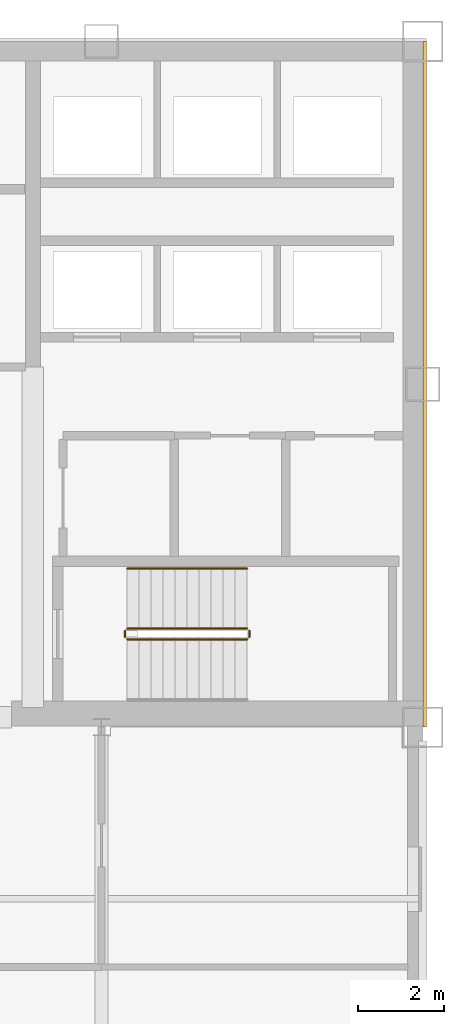
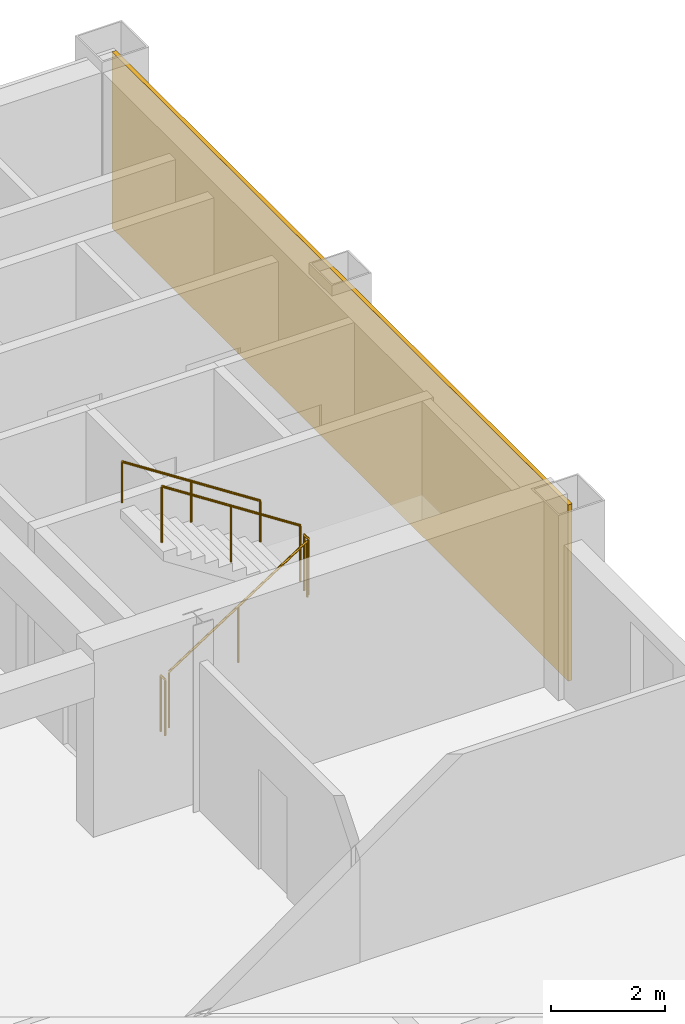
# One storey, part 8 of 10: 5 railings, 1 covering.
"""IFC4 building model written with IfcOpenShell, lengths in metres."""

import ifcopenshell
import ifcopenshell.guid

model = None  # the IFC model being written
_history = None  # IfcOwnerHistory: only IFC2X3 demands one
_inside = {}  # id of a spatial element -> (the spatial element, [elements in it])
_under = {}  # id of a project, library or spatial element -> (it, [spatial elements below it])
_declared = {}  # id of a project -> (the project, [libraries it declares])
_typed = {}  # id of a type object -> (the type object, [elements of that type])
_made_of = {}  # id of a material, layer set ... -> (it, [elements and type objects made of it])


def new_model(schema):
    """Start an empty IFC model of exactly this schema.

    Asked for "IFC4X3", IfcOpenShell would pick the latest addendum, in which some entities
    have other attributes; the version numbers below select the first issue.
    IFC2X3 requires an IfcOwnerHistory on every rooted entity: one is made here for all.
    """
    global model, _history
    if schema == "IFC4X3":
        model = ifcopenshell.file(schema_version=(4, 3, 0, 0))
    else:
        model = ifcopenshell.file(schema=schema)
    _inside.clear()
    _under.clear()
    _declared.clear()
    _typed.clear()
    _made_of.clear()
    _history = None
    if model.schema == "IFC2X3":
        org = make("IfcOrganization", Name="unknown")
        user = make(
            "IfcPersonAndOrganization",
            ThePerson=make("IfcPerson", FamilyName="unknown"),
            TheOrganization=org,
        )
        app = make(
            "IfcApplication",
            ApplicationDeveloper=org,
            Version="unknown",
            ApplicationFullName="unknown",
            ApplicationIdentifier="unknown",
        )
        _history = make(
            "IfcOwnerHistory",
            OwningUser=user,
            OwningApplication=app,
            ChangeAction="ADDED",
            CreationDate=0,
        )
    return model


def make(cls, **values):
    """One entity of the class cls with the attributes given. An attribute that is None is left unset."""
    return model.create_entity(
        cls, **{name: value for name, value in values.items() if value is not None}
    )


def rooted(cls, **values):
    """An entity with a GlobalId (a new one), such as an element, a storey or a relation."""
    return make(cls, GlobalId=ifcopenshell.guid.new(), OwnerHistory=_history, **values)


def si_unit(unit_type, name, prefix=None):
    """IfcSIUnit, for example si_unit("LENGTHUNIT", "METRE", prefix="MILLI")."""
    return make("IfcSIUnit", UnitType=unit_type, Prefix=prefix, Name=name)


def assignment(units):
    """IfcUnitAssignment: the units of a project."""
    return None if units is None else make("IfcUnitAssignment", Units=units)


def point(xyz):
    """IfcCartesianPoint."""
    return None if xyz is None else make("IfcCartesianPoint", Coordinates=xyz)


def direction(xyz):
    """IfcDirection."""
    return None if xyz is None else make("IfcDirection", DirectionRatios=xyz)


def frame(location, z_axis=None, x_axis=None):
    """IfcAxis2Placement3D, a coordinate frame: its origin and axes. An axis left out is left unset."""
    return make(
        "IfcAxis2Placement3D",
        Location=point(location),
        Axis=direction(z_axis),
        RefDirection=direction(x_axis),
    )


def frame_2d(location, x_axis=None):
    """IfcAxis2Placement2D, a coordinate frame in the plane: its origin and x axis."""
    return make(
        "IfcAxis2Placement2D", Location=point(location), RefDirection=direction(x_axis)
    )


def origin():
    """The frame at (0, 0, 0) with its axes left unset."""
    return frame((0.0, 0.0, 0.0))


def origin_2d():
    """The frame at (0, 0) in the plane with its x axis left unset."""
    return frame_2d((0.0, 0.0))


def place(relative_to, where):
    """IfcLocalPlacement: puts the frame where relative to a parent placement (None: the world)."""
    return make(
        "IfcLocalPlacement", PlacementRelTo=relative_to, RelativePlacement=where
    )


def context(
    kind, dimensions, precision=None, world=None, true_north=None, identifier=None
):
    """IfcGeometricRepresentationContext, for example the 3D "Model" context."""
    return make(
        "IfcGeometricRepresentationContext",
        ContextIdentifier=identifier,
        ContextType=kind,
        CoordinateSpaceDimension=dimensions,
        Precision=precision,
        WorldCoordinateSystem=world,
        TrueNorth=true_north,
    )


def subcontext(parent, identifier, kind, view, scale=None):
    """IfcGeometricRepresentationSubContext, for example "Body" below "Model"."""
    return make(
        "IfcGeometricRepresentationSubContext",
        ContextIdentifier=identifier,
        ContextType=kind,
        ParentContext=parent,
        TargetScale=scale,
        TargetView=view,
    )


def project(units=None, contexts=None):
    """IfcProject with its units and contexts."""
    return rooted(
        "IfcProject",
        Name="project",
        RepresentationContexts=contexts,
        UnitsInContext=assignment(units),
    )


def spatial(cls, under=None, at=None, **own):
    """A site, building, storey or space (cls), placed at a placement, below another one or the project."""
    s = rooted(cls, ObjectPlacement=at, **own)
    if under is not None:
        _under.setdefault(under.id(), (under, []))[1].append(s)
    return s


def profile(cls, at=None, kind="AREA", **sizes):
    """A parametric profile (cls). Its sizes go by their IFC names, for example OverallWidth=200.0."""
    return make(cls, ProfileType=kind, Position=at, **sizes)


def rectangle(**sizes):
    """IfcRectangleProfileDef."""
    return profile("IfcRectangleProfileDef", **sizes)


def circle(**sizes):
    """IfcCircleProfileDef."""
    return profile("IfcCircleProfileDef", **sizes)


def extrude(swept, where, along, depth):
    """IfcExtrudedAreaSolid: the profile swept, set in the frame where, extruded along a direction by depth."""
    return make(
        "IfcExtrudedAreaSolid",
        SweptArea=swept,
        Position=where,
        ExtrudedDirection=direction(along),
        Depth=depth,
    )


def shape(context_of_items, identifier, shape_type, items):
    """IfcShapeRepresentation: the items that make up one representation, for example the "Body"."""
    return make(
        "IfcShapeRepresentation",
        ContextOfItems=context_of_items,
        RepresentationIdentifier=identifier,
        RepresentationType=shape_type,
        Items=items,
    )


def material(Name=None, Category=None):
    """IfcMaterial."""
    return make("IfcMaterial", Name=Name, Category=Category)


def layer(
    of_material, thickness, ventilated=None, Name=None, Category=None, Priority=None
):
    """IfcMaterialLayer: one layer of a wall or slab, of a material (None: an air gap)."""
    return make(
        "IfcMaterialLayer",
        Material=of_material,
        LayerThickness=thickness,
        IsVentilated=ventilated,
        Name=Name,
        Category=Category,
        Priority=Priority,
    )


def layer_set(layers, Name=None):
    """IfcMaterialLayerSet."""
    return make("IfcMaterialLayerSet", MaterialLayers=layers, LayerSetName=Name)


def made_of(thing, what):
    """Note that an element or type object is made of a material, layer set ...; save() writes the relation."""
    if what is not None:
        _made_of.setdefault(what.id(), (what, []))[1].append(thing)
    return thing


def type_object(cls, material=None, **own):
    """A type object (cls), such as IfcWallType, which elements share."""
    return made_of(rooted(cls, **own), material)


def element(
    cls,
    number,
    at=None,
    inside=None,
    cuts=None,
    type_object=None,
    material=None,
    context=None,
    identifier="Body",
    shape_type=None,
    held_by="IfcProductDefinitionShape",
    body=None,
    shapes=None,
    **own,
):
    """One element of the class cls, such as IfcWall. Its Tag is "e" and its number.

    at: its placement. inside: the storey or other place that contains it. cuts: it is an
    opening in that element (IfcRelVoidsElement). A single representation is given by context,
    identifier, shape_type and body (its items); several are given by shapes. held_by: the class
    of the entity that holds the representations. save() writes the other relations.
    """
    e = rooted(cls, Tag="e%d" % number, ObjectPlacement=at, **own)
    if body is not None:
        shapes = [shape(context, identifier, shape_type, body)]
    if shapes is not None:
        e.Representation = make(held_by, Representations=shapes)
    if inside is not None:
        _inside.setdefault(inside.id(), (inside, []))[1].append(e)
    if cuts is not None:
        rooted(
            "IfcRelVoidsElement", RelatingBuildingElement=cuts, RelatedOpeningElement=e
        )
    if type_object is not None:
        _typed.setdefault(type_object.id(), (type_object, []))[1].append(e)
    return made_of(e, material)


def aggregate(whole, parts):
    """IfcRelAggregates: a whole, such as a stair, and the parts it consists of."""
    return rooted("IfcRelAggregates", RelatingObject=whole, RelatedObjects=parts)


def save(model, path):
    """Write the relations noted so far, then the file.

    IfcRelAggregates (storeys below a building ...), IfcRelContainedInSpatialStructure (elements
    in a storey), IfcRelDefinesByType, IfcRelAssociatesMaterial and IfcRelDeclares: one each for
    every whole, place, type object, material and project.
    """
    for whole, parts in _under.values():
        aggregate(whole, parts)
    for where, things in _inside.values():
        rooted(
            "IfcRelContainedInSpatialStructure",
            RelatedElements=things,
            RelatingStructure=where,
        )
    for kind, things in _typed.values():
        rooted("IfcRelDefinesByType", RelatedObjects=things, RelatingType=kind)
    for what, things in _made_of.values():
        rooted("IfcRelAssociatesMaterial", RelatedObjects=things, RelatingMaterial=what)
    for by, libraries in _declared.values():
        rooted("IfcRelDeclares", RelatingContext=by, RelatedDefinitions=libraries)
    model.write(path)


model = new_model("IFC4")

# Units and contexts
model_context = context("Model", 3, precision=1e-05, world=origin(), true_north=direction((0.0, 1.0)))
body_context = subcontext(model_context, "Body", "Model", "MODEL_VIEW")
ifc_project = project(units=[si_unit("LENGTHUNIT", "METRE"), si_unit("AREAUNIT", "SQUARE_METRE"), si_unit("VOLUMEUNIT", "CUBIC_METRE"), si_unit("PLANEANGLEUNIT", "RADIAN"), si_unit("MASSUNIT", "GRAM", prefix="KILO")], contexts=[model_context])

# Site, building, storey
site_placement = place(None, origin())
site = spatial("IfcSite", under=ifc_project, at=site_placement, CompositionType="ELEMENT")
building_placement = place(site_placement, origin())
building = spatial("IfcBuilding", under=site, at=building_placement, Name="Qianrong Seaharbour Tower", CompositionType="ELEMENT")
storey_placement = place(building_placement, frame((0.0, 0.0, 257.800048828125)))
storey = spatial("IfcBuildingStorey", under=building, at=storey_placement, Name="L62", CompositionType="ELEMENT", Elevation=257.800048828125)

# Covering
ifc_material_1 = material(Name="Unitised red brick cladding on Precast concrete C45/55", Category="masonry")
ifc_layer = layer(ifc_material_1, 0.080078125)
ifc_layer_set = layer_set([ifc_layer], Name="Unitised red brick cladding on Precast concrete C45/55")
covering_type = type_object("IfcCoveringType", Name="COV-CLAD-RED-BRICK-80", PredefinedType="CLADDING", material=ifc_layer_set)
covering_placement = place(storey_placement, frame((64.0400390625, 44.0, 0.0), z_axis=(0.0, 0.0, 1.0), x_axis=(1.0, 0.0, 0.0)))
element("IfcCovering", 1, at=covering_placement, inside=storey, type_object=covering_type, Name="L62 East Core Brick Veneer Cladding", PredefinedType="CLADDING", context=body_context, shape_type="SweptSolid", body=[
    extrude(rectangle(XDim=0.080078125, YDim=16.0, at=origin_2d()), origin(), (0.0, 0.0, 1.0), 3.77490234375),
])

# Railings
ifc_material_2 = material(Name="Galvanized painted steel SN400B stair guard", Category="steel")
railing_type_1 = type_object("IfcRailingType", Name="RAIL-STAIR-GUARD-1220", PredefinedType="GUARDRAIL", material=ifc_material_2)
railing_1_placement = place(storey_placement, frame((57.10009765625, 38.050048828125, 0.181884765625)))
element("IfcRailing", 2, at=railing_1_placement, inside=storey, type_object=railing_type_1, Name="L62 ST-2 stair guard 1", PredefinedType="GUARDRAIL", context=body_context, shape_type="SweptSolid", body=[
    extrude(circle(Radius=0.02392578125, at=origin_2d()), frame((0.0, 0.0, 1.19580078125), z_axis=(0.83868413941, 0.0, 0.544618136222), x_axis=(0.0, 1.0, 0.0)), (0.0, 0.0, 1.0), 3.33837890625),
    extrude(circle(Radius=0.02099609375, at=origin_2d()), origin(), (0.0, 0.0, 1.0), 1.171875),
    extrude(circle(Radius=0.02099609375, at=origin_2d()), frame((1.39990234375, 0.0, 0.9091796875)), (0.0, 0.0, 1.0), 1.171875),
    extrude(circle(Radius=0.02099609375, at=origin_2d()), frame((2.7998046875, 0.0, 1.818115234375)), (0.0, 0.0, 1.0), 1.171875),
])
railing_2_placement = place(storey_placement, frame((59.949951171875, 38.10009765625, 2.0)))
element("IfcRailing", 3, at=railing_2_placement, inside=storey, type_object=railing_type_1, Name="L62 ST-2 stair guard 2", PredefinedType="GUARDRAIL", context=body_context, shape_type="SweptSolid", body=[
    extrude(circle(Radius=0.02392578125, at=origin_2d()), frame((0.0, 0.0, 1.19580078125), z_axis=(0.0, 1.0, 0.0), x_axis=(-1.0, 0.0, 0.0)), (0.0, 0.0, 1.0), 0.14990234375),
    extrude(circle(Radius=0.02099609375, at=origin_2d()), origin(), (0.0, 0.0, 1.0), 1.171875),
    extrude(circle(Radius=0.02099609375, at=origin_2d()), frame((0.0, 0.14990234375, 0.0)), (0.0, 0.0, 1.0), 1.171875),
])
railing_3_placement = place(storey_placement, frame((59.89990234375, 38.300048828125, 2.181884765625)))
element("IfcRailing", 4, at=railing_3_placement, inside=storey, type_object=railing_type_1, Name="L62 ST-2 stair guard 3", PredefinedType="GUARDRAIL", context=body_context, shape_type="SweptSolid", body=[
    extrude(circle(Radius=0.02392578125, at=origin_2d()), frame((0.0, 0.0, 1.19580078125), z_axis=(-0.83868413941, 0.0, 0.544618136222), x_axis=(0.0, -1.0, 0.0)), (0.0, 0.0, 1.0), 3.33837890625),
    extrude(circle(Radius=0.02099609375, at=origin_2d()), origin(), (0.0, 0.0, 1.0), 1.171875),
    extrude(circle(Radius=0.02099609375, at=origin_2d()), frame((-1.39990234375, 0.0, 0.9091796875)), (0.0, 0.0, 1.0), 1.171875),
    extrude(circle(Radius=0.02099609375, at=origin_2d()), frame((-2.7998046875, 0.0, 1.818115234375)), (0.0, 0.0, 1.0), 1.171875),
])
railing_4_placement = place(storey_placement, frame((57.050048828125, 38.10009765625, 0.0)))
element("IfcRailing", 5, at=railing_4_placement, inside=storey, type_object=railing_type_1, Name="L62 ST-2 stair guard 4", PredefinedType="GUARDRAIL", context=body_context, shape_type="SweptSolid", body=[
    extrude(circle(Radius=0.02392578125, at=origin_2d()), frame((0.0, 0.0, 1.19580078125), z_axis=(0.0, 1.0, 0.0), x_axis=(-1.0, 0.0, 0.0)), (0.0, 0.0, 1.0), 0.14990234375),
    extrude(circle(Radius=0.02099609375, at=origin_2d()), origin(), (0.0, 0.0, 1.0), 1.171875),
    extrude(circle(Radius=0.02099609375, at=origin_2d()), frame((0.0, 0.14990234375, 0.0)), (0.0, 0.0, 1.0), 1.171875),
])
ifc_material_3 = material(Name="Stainless steel SUS316L continuous handrail", Category="steel")
railing_type_2 = type_object("IfcRailingType", Name="RAIL-STAIR-HANDRAIL-900", PredefinedType="HANDRAIL", material=ifc_material_3)
railing_5_placement = place(storey_placement, frame((59.89990234375, 39.699951171875, 2.181884765625)))
element("IfcRailing", 6, at=railing_5_placement, inside=storey, type_object=railing_type_2, Name="L62 ST-2 stair handrail 2", PredefinedType="HANDRAIL", context=body_context, shape_type="SweptSolid", body=[
    extrude(circle(Radius=0.02392578125, at=origin_2d()), frame((0.0, 0.0, 0.8759765625), z_axis=(-0.83868413941, 0.0, 0.544618136222), x_axis=(0.0, -1.0, 0.0)), (0.0, 0.0, 1.0), 3.33837890625),
    extrude(circle(Radius=0.02099609375, at=origin_2d()), origin(), (0.0, 0.0, 1.0), 0.851806640625),
    extrude(circle(Radius=0.02099609375, at=origin_2d()), frame((-1.39990234375, 0.0, 0.9091796875)), (0.0, 0.0, 1.0), 0.851806640625),
    extrude(circle(Radius=0.02099609375, at=origin_2d()), frame((-2.7998046875, 0.0, 1.818115234375)), (0.0, 0.0, 1.0), 0.851806640625),
])

save(model, "model.ifc")
